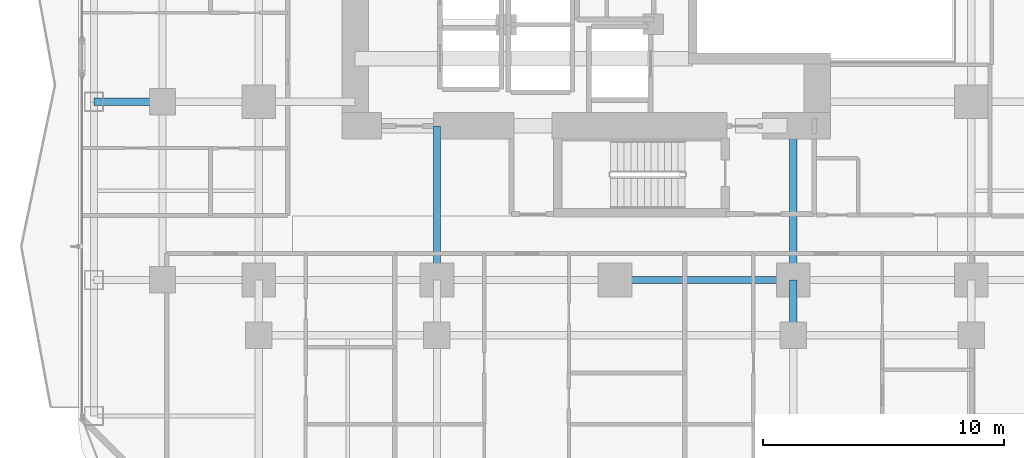
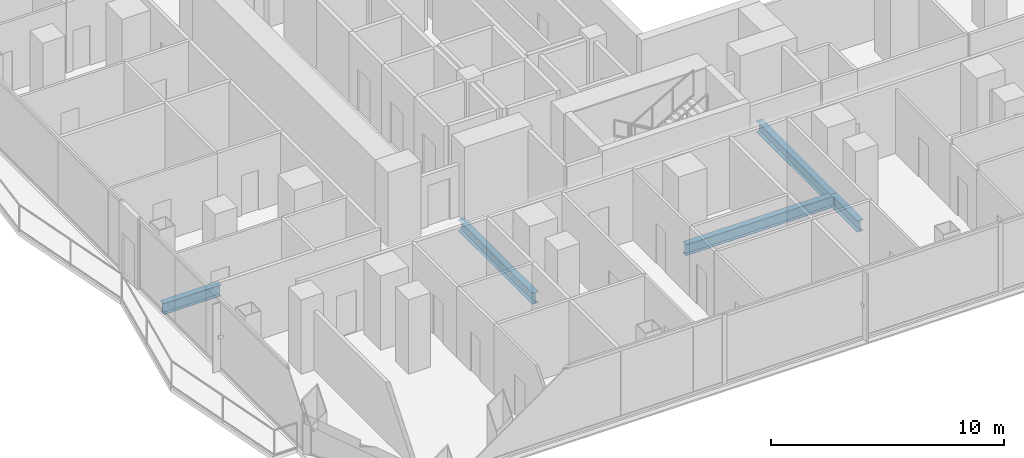
# One storey, part 5 of 30: 5 beams.
"""IFC4 building model written with IfcOpenShell, lengths in metres."""

from ifc_helpers import new_model, si_unit, direction, frame, origin, origin_2d, place, context, subcontext, project, spatial, i_section, extrude, material, material_profile, profile_set, type_object, element, save


model = new_model("IFC4")

# Units and contexts
model_context = context("Model", 3, precision=1e-05, world=origin(), true_north=direction((0.0, 1.0)))
body_context = subcontext(model_context, "Body", "Model", "MODEL_VIEW")
ifc_project = project(units=[si_unit("LENGTHUNIT", "METRE"), si_unit("AREAUNIT", "SQUARE_METRE"), si_unit("VOLUMEUNIT", "CUBIC_METRE"), si_unit("PLANEANGLEUNIT", "RADIAN"), si_unit("MASSUNIT", "GRAM", prefix="KILO")], contexts=[model_context])

# Site, building, storey
site_placement = place(None, origin())
site = spatial("IfcSite", under=ifc_project, at=site_placement, CompositionType="ELEMENT")
building_placement = place(site_placement, origin())
building = spatial("IfcBuilding", under=site, at=building_placement, Name="Khorvyn Point Tower", CompositionType="ELEMENT")
storey_placement = place(building_placement, frame((0.0, 0.0, 30.60009765625)))
storey = spatial("IfcBuildingStorey", under=building, at=storey_placement, Name="L08", CompositionType="ELEMENT", Elevation=30.60009765625)

# Beams
ifc_material = material(Name="Steel S355", Category="steel")
ifc_material_profile = material_profile(ifc_material, i_section(OverallWidth=0.300048828125, OverallDepth=0.587890625, WebThickness=0.011962890625, FlangeThickness=0.02001953125, at=origin_2d()))
ifc_profile_set = profile_set([ifc_material_profile], Name="Steel S355 H588x300x12x20")
beam_type = type_object("IfcBeamType", Name="Steel S355 Beam H588x300x12x20", PredefinedType="BEAM", material=ifc_profile_set)
beam_1_placement = place(storey_placement, frame((0.0, -14.800048828125, -0.51416015625), z_axis=(1.0, 0.0, 0.0), x_axis=(0.0, 1.0, 0.0)))
element("IfcBeam", 1, at=beam_1_placement, inside=storey, type_object=beam_type, Name="Beam", PredefinedType="BEAM", context=body_context, shape_type="SweptSolid", body=[
    extrude(i_section(OverallWidth=0.300048828125, OverallDepth=0.587890625, WebThickness=0.011962890625, FlangeThickness=0.02001953125, at=origin_2d()), origin(), (0.0, 0.0, 1.0), 7.39990234375),
])
beam_2_placement = place(storey_placement, frame((-21.64990234375, -7.39990234375, -0.51416015625), z_axis=(1.0, 0.0, 0.0), x_axis=(0.0, 1.0, 0.0)))
element("IfcBeam", 2, at=beam_2_placement, inside=storey, type_object=beam_type, Name="Beam", PredefinedType="BEAM", context=body_context, shape_type="SweptSolid", body=[
    extrude(i_section(OverallWidth=0.300048828125, OverallDepth=0.587890625, WebThickness=0.011962890625, FlangeThickness=0.02001953125, at=origin_2d()), origin(), (0.0, 0.0, 1.0), 2.849853515625),
])
beam_3_placement = place(storey_placement, frame((-7.39990234375, -14.800048828125, -0.51416015625), z_axis=(0.0, 1.0, 0.0), x_axis=(-1.0, 0.0, 0.0)))
element("IfcBeam", 3, at=beam_3_placement, inside=storey, type_object=beam_type, Name="Beam", PredefinedType="BEAM", context=body_context, shape_type="SweptSolid", body=[
    extrude(i_section(OverallWidth=0.300048828125, OverallDepth=0.587890625, WebThickness=0.011962890625, FlangeThickness=0.02001953125, at=origin_2d()), origin(), (0.0, 0.0, 1.0), 6.400146484375),
])
beam_4_placement = place(storey_placement, frame((7.39990234375, -17.10009765625, -0.51416015625), z_axis=(0.0, 1.0, 0.0), x_axis=(-1.0, 0.0, 0.0)))
element("IfcBeam", 4, at=beam_4_placement, inside=storey, type_object=beam_type, Name="Beam", PredefinedType="BEAM", context=body_context, shape_type="SweptSolid", body=[
    extrude(i_section(OverallWidth=0.300048828125, OverallDepth=0.587890625, WebThickness=0.011962890625, FlangeThickness=0.02001953125, at=origin_2d()), origin(), (0.0, 0.0, 1.0), 2.300048828125),
])
beam_5_placement = place(storey_placement, frame((7.39990234375, -14.800048828125, -0.51416015625), z_axis=(0.0, 1.0, 0.0), x_axis=(-1.0, 0.0, 0.0)))
element("IfcBeam", 5, at=beam_5_placement, inside=storey, type_object=beam_type, Name="Beam", PredefinedType="BEAM", context=body_context, shape_type="SweptSolid", body=[
    extrude(i_section(OverallWidth=0.300048828125, OverallDepth=0.587890625, WebThickness=0.011962890625, FlangeThickness=0.02001953125, at=origin_2d()), origin(), (0.0, 0.0, 1.0), 6.400146484375),
])

save(model, "model.ifc")
